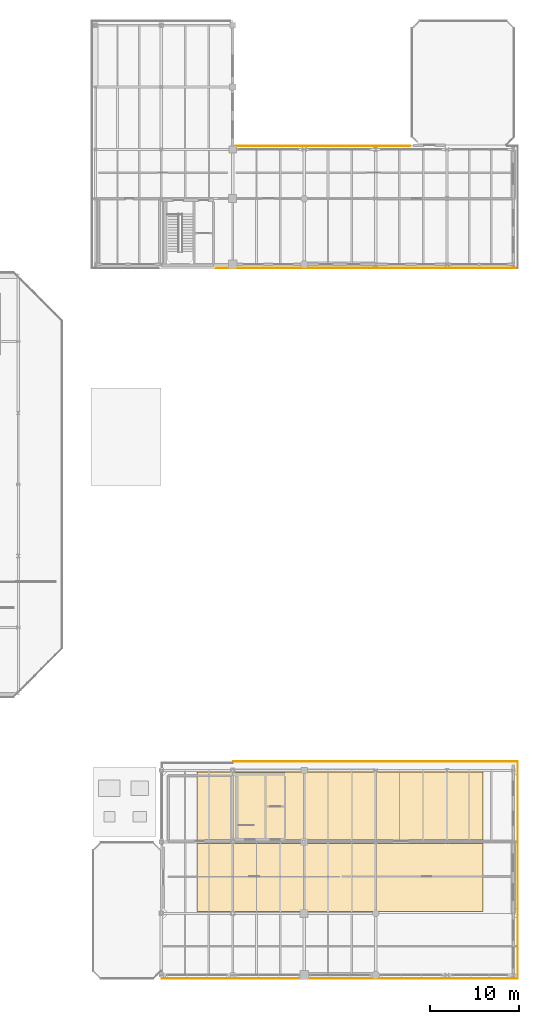
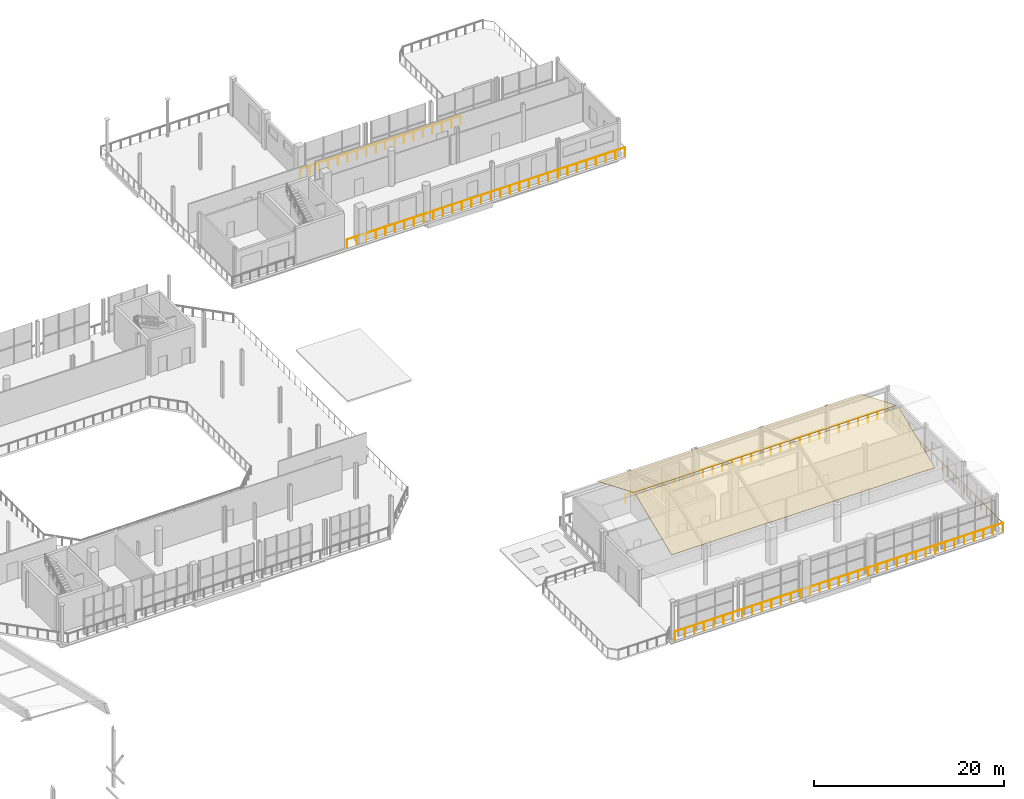
# One storey, part 50 of 51: 5 railings, 2 coverings.
"""IFC4 building model written with IfcOpenShell, lengths in metres."""

import ifcopenshell
import ifcopenshell.guid

model = None  # the IFC model being written
_history = None  # IfcOwnerHistory: only IFC2X3 demands one
_inside = {}  # id of a spatial element -> (the spatial element, [elements in it])
_under = {}  # id of a project, library or spatial element -> (it, [spatial elements below it])
_declared = {}  # id of a project -> (the project, [libraries it declares])
_typed = {}  # id of a type object -> (the type object, [elements of that type])
_made_of = {}  # id of a material, layer set ... -> (it, [elements and type objects made of it])


def new_model(schema):
    """Start an empty IFC model of exactly this schema.

    Asked for "IFC4X3", IfcOpenShell would pick the latest addendum, in which some entities
    have other attributes; the version numbers below select the first issue.
    IFC2X3 requires an IfcOwnerHistory on every rooted entity: one is made here for all.
    """
    global model, _history
    if schema == "IFC4X3":
        model = ifcopenshell.file(schema_version=(4, 3, 0, 0))
    else:
        model = ifcopenshell.file(schema=schema)
    _inside.clear()
    _under.clear()
    _declared.clear()
    _typed.clear()
    _made_of.clear()
    _history = None
    if model.schema == "IFC2X3":
        org = make("IfcOrganization", Name="unknown")
        user = make(
            "IfcPersonAndOrganization",
            ThePerson=make("IfcPerson", FamilyName="unknown"),
            TheOrganization=org,
        )
        app = make(
            "IfcApplication",
            ApplicationDeveloper=org,
            Version="unknown",
            ApplicationFullName="unknown",
            ApplicationIdentifier="unknown",
        )
        _history = make(
            "IfcOwnerHistory",
            OwningUser=user,
            OwningApplication=app,
            ChangeAction="ADDED",
            CreationDate=0,
        )
    return model


def make(cls, **values):
    """One entity of the class cls with the attributes given. An attribute that is None is left unset."""
    return model.create_entity(
        cls, **{name: value for name, value in values.items() if value is not None}
    )


def rooted(cls, **values):
    """An entity with a GlobalId (a new one), such as an element, a storey or a relation."""
    return make(cls, GlobalId=ifcopenshell.guid.new(), OwnerHistory=_history, **values)


def si_unit(unit_type, name, prefix=None):
    """IfcSIUnit, for example si_unit("LENGTHUNIT", "METRE", prefix="MILLI")."""
    return make("IfcSIUnit", UnitType=unit_type, Prefix=prefix, Name=name)


def assignment(units):
    """IfcUnitAssignment: the units of a project."""
    return None if units is None else make("IfcUnitAssignment", Units=units)


def point(xyz):
    """IfcCartesianPoint."""
    return None if xyz is None else make("IfcCartesianPoint", Coordinates=xyz)


def direction(xyz):
    """IfcDirection."""
    return None if xyz is None else make("IfcDirection", DirectionRatios=xyz)


def frame(location, z_axis=None, x_axis=None):
    """IfcAxis2Placement3D, a coordinate frame: its origin and axes. An axis left out is left unset."""
    return make(
        "IfcAxis2Placement3D",
        Location=point(location),
        Axis=direction(z_axis),
        RefDirection=direction(x_axis),
    )


def frame_2d(location, x_axis=None):
    """IfcAxis2Placement2D, a coordinate frame in the plane: its origin and x axis."""
    return make(
        "IfcAxis2Placement2D", Location=point(location), RefDirection=direction(x_axis)
    )


def origin():
    """The frame at (0, 0, 0) with its axes left unset."""
    return frame((0.0, 0.0, 0.0))


def origin_2d():
    """The frame at (0, 0) in the plane with its x axis left unset."""
    return frame_2d((0.0, 0.0))


def place(relative_to, where):
    """IfcLocalPlacement: puts the frame where relative to a parent placement (None: the world)."""
    return make(
        "IfcLocalPlacement", PlacementRelTo=relative_to, RelativePlacement=where
    )


def context(
    kind, dimensions, precision=None, world=None, true_north=None, identifier=None
):
    """IfcGeometricRepresentationContext, for example the 3D "Model" context."""
    return make(
        "IfcGeometricRepresentationContext",
        ContextIdentifier=identifier,
        ContextType=kind,
        CoordinateSpaceDimension=dimensions,
        Precision=precision,
        WorldCoordinateSystem=world,
        TrueNorth=true_north,
    )


def subcontext(parent, identifier, kind, view, scale=None):
    """IfcGeometricRepresentationSubContext, for example "Body" below "Model"."""
    return make(
        "IfcGeometricRepresentationSubContext",
        ContextIdentifier=identifier,
        ContextType=kind,
        ParentContext=parent,
        TargetScale=scale,
        TargetView=view,
    )


def project(units=None, contexts=None):
    """IfcProject with its units and contexts."""
    return rooted(
        "IfcProject",
        Name="project",
        RepresentationContexts=contexts,
        UnitsInContext=assignment(units),
    )


def spatial(cls, under=None, at=None, **own):
    """A site, building, storey or space (cls), placed at a placement, below another one or the project."""
    s = rooted(cls, ObjectPlacement=at, **own)
    if under is not None:
        _under.setdefault(under.id(), (under, []))[1].append(s)
    return s


def polyline(points):
    """IfcPolyline through the points."""
    return make("IfcPolyline", Points=[point(p) for p in points])


def profile(cls, at=None, kind="AREA", **sizes):
    """A parametric profile (cls). Its sizes go by their IFC names, for example OverallWidth=200.0."""
    return make(cls, ProfileType=kind, Position=at, **sizes)


def circle(**sizes):
    """IfcCircleProfileDef."""
    return profile("IfcCircleProfileDef", **sizes)


def outline(outer, holes=None, kind="AREA"):
    """IfcArbitraryClosedProfileDef: a profile drawn as a closed curve; with holes, ...WithVoids."""
    if holes is None:
        return make("IfcArbitraryClosedProfileDef", ProfileType=kind, OuterCurve=outer)
    return make(
        "IfcArbitraryProfileDefWithVoids",
        ProfileType=kind,
        OuterCurve=outer,
        InnerCurves=holes,
    )


def extrude(swept, where, along, depth):
    """IfcExtrudedAreaSolid: the profile swept, set in the frame where, extruded along a direction by depth."""
    return make(
        "IfcExtrudedAreaSolid",
        SweptArea=swept,
        Position=where,
        ExtrudedDirection=direction(along),
        Depth=depth,
    )


def shape(context_of_items, identifier, shape_type, items):
    """IfcShapeRepresentation: the items that make up one representation, for example the "Body"."""
    return make(
        "IfcShapeRepresentation",
        ContextOfItems=context_of_items,
        RepresentationIdentifier=identifier,
        RepresentationType=shape_type,
        Items=items,
    )


def material(Name=None, Category=None):
    """IfcMaterial."""
    return make("IfcMaterial", Name=Name, Category=Category)


def layer(
    of_material, thickness, ventilated=None, Name=None, Category=None, Priority=None
):
    """IfcMaterialLayer: one layer of a wall or slab, of a material (None: an air gap)."""
    return make(
        "IfcMaterialLayer",
        Material=of_material,
        LayerThickness=thickness,
        IsVentilated=ventilated,
        Name=Name,
        Category=Category,
        Priority=Priority,
    )


def layer_set(layers, Name=None):
    """IfcMaterialLayerSet."""
    return make("IfcMaterialLayerSet", MaterialLayers=layers, LayerSetName=Name)


def made_of(thing, what):
    """Note that an element or type object is made of a material, layer set ...; save() writes the relation."""
    if what is not None:
        _made_of.setdefault(what.id(), (what, []))[1].append(thing)
    return thing


def type_object(cls, material=None, **own):
    """A type object (cls), such as IfcWallType, which elements share."""
    return made_of(rooted(cls, **own), material)


def element(
    cls,
    number,
    at=None,
    inside=None,
    cuts=None,
    type_object=None,
    material=None,
    context=None,
    identifier="Body",
    shape_type=None,
    held_by="IfcProductDefinitionShape",
    body=None,
    shapes=None,
    **own,
):
    """One element of the class cls, such as IfcWall. Its Tag is "e" and its number.

    at: its placement. inside: the storey or other place that contains it. cuts: it is an
    opening in that element (IfcRelVoidsElement). A single representation is given by context,
    identifier, shape_type and body (its items); several are given by shapes. held_by: the class
    of the entity that holds the representations. save() writes the other relations.
    """
    e = rooted(cls, Tag="e%d" % number, ObjectPlacement=at, **own)
    if body is not None:
        shapes = [shape(context, identifier, shape_type, body)]
    if shapes is not None:
        e.Representation = make(held_by, Representations=shapes)
    if inside is not None:
        _inside.setdefault(inside.id(), (inside, []))[1].append(e)
    if cuts is not None:
        rooted(
            "IfcRelVoidsElement", RelatingBuildingElement=cuts, RelatedOpeningElement=e
        )
    if type_object is not None:
        _typed.setdefault(type_object.id(), (type_object, []))[1].append(e)
    return made_of(e, material)


def aggregate(whole, parts):
    """IfcRelAggregates: a whole, such as a stair, and the parts it consists of."""
    return rooted("IfcRelAggregates", RelatingObject=whole, RelatedObjects=parts)


def save(model, path):
    """Write the relations noted so far, then the file.

    IfcRelAggregates (storeys below a building ...), IfcRelContainedInSpatialStructure (elements
    in a storey), IfcRelDefinesByType, IfcRelAssociatesMaterial and IfcRelDeclares: one each for
    every whole, place, type object, material and project.
    """
    for whole, parts in _under.values():
        aggregate(whole, parts)
    for where, things in _inside.values():
        rooted(
            "IfcRelContainedInSpatialStructure",
            RelatedElements=things,
            RelatingStructure=where,
        )
    for kind, things in _typed.values():
        rooted("IfcRelDefinesByType", RelatedObjects=things, RelatingType=kind)
    for what, things in _made_of.values():
        rooted("IfcRelAssociatesMaterial", RelatedObjects=things, RelatingMaterial=what)
    for by, libraries in _declared.values():
        rooted("IfcRelDeclares", RelatingContext=by, RelatedDefinitions=libraries)
    model.write(path)


model = new_model("IFC4")

# Units and contexts
model_context = context("Model", 3, precision=1e-05, world=origin(), true_north=direction((0.0, 1.0)))
body_context = subcontext(model_context, "Body", "Model", "MODEL_VIEW")
ifc_project = project(units=[si_unit("LENGTHUNIT", "METRE"), si_unit("AREAUNIT", "SQUARE_METRE"), si_unit("VOLUMEUNIT", "CUBIC_METRE"), si_unit("PLANEANGLEUNIT", "RADIAN"), si_unit("MASSUNIT", "GRAM", prefix="KILO")], contexts=[model_context])

# Site, building, storey
site_placement = place(None, origin())
site = spatial("IfcSite", under=ifc_project, at=site_placement, CompositionType="ELEMENT")
building_placement = place(site_placement, origin())
building = spatial("IfcBuilding", under=site, at=building_placement, Name="Brisemont Oceanarium", CompositionType="ELEMENT")
storey_placement = place(building_placement, frame((0.0, 0.0, 15.0)))
storey = spatial("IfcBuildingStorey", under=building, at=storey_placement, Name="L03", CompositionType="ELEMENT", Elevation=15.0)

# Coverings
ifc_material_1 = material(Name="Patinated Copper-Zinc Standing-Seam Sheet")
ifc_layer = layer(ifc_material_1, 0.034912109375)
ifc_layer_set = layer_set([ifc_layer], Name="Patinated Copper-Zinc Standing-Seam Sheet")
covering_type = type_object("IfcCoveringType", Name="COV-ROOF-CUZN", PredefinedType="ROOFING", material=ifc_layer_set)
for number, where, z_axis, x_axis, name in (
    (1, (124.0, 8.199951171875, 5.0), (0.0, -0.383911815962, 0.923369762102), (1.0, 0.0, 0.0), "Patinated copper-zinc standing-seam roofing RFG-R1"),
    (2, (124.0, 16.199951171875, 8.159912109375), (0.0, 0.383911815962, 0.923369762102), (1.0, 0.0, 0.0), "Patinated copper-zinc standing-seam roofing RFG-R2"),
):
    element("IfcCovering", number, at=place(storey_placement, frame(where, z_axis=z_axis, x_axis=x_axis)), inside=storey, type_object=covering_type, Name=name, PredefinedType="ROOFING", context=body_context, shape_type="SweptSolid", body=[
        extrude(outline(polyline([(0.0, 0.0), (32.0, 0.0), (32.0, 8.230827960995875), (0.0, 8.230827960995875), (0.0, 0.0)])), origin(), (0.0, 0.0, -1.0), 0.034912109375),
    ])

# Railings
ifc_material_2 = material(Name="Duplex Stainless Steel EN 1.4462", Category="steel")
railing_type = type_object("IfcRailingType", Name="RLG-GUARD-1120", PredefinedType="GUARDRAIL", material=ifc_material_2)
railing_1_placement = place(storey_placement, frame((128.090087890625, 25.009521484375, 0.0)))
element("IfcRailing", 3, at=railing_1_placement, inside=storey, type_object=railing_type, Name="L03 slab perimeter safety guard 189", PredefinedType="GUARDRAIL", context=body_context, shape_type="SweptSolid", body=[
    extrude(circle(Radius=0.02392578125, at=origin_2d()), frame((0.0, 0.0, 1.09619140625), z_axis=(0.999999999882, 1.5345426e-05, 0.0), x_axis=(-1.5345426e-05, 0.999999999882, 0.0)), (0.0, 0.0, 1.0), 31.8193359375),
    extrude(circle(Radius=0.02099609375, at=origin_2d()), origin(), (0.0, 0.0, 1.0), 1.072021484375),
    extrude(circle(Radius=0.02099609375, at=origin_2d()), frame((1.178466796875, 0.0, 0.0)), (0.0, 0.0, 1.0), 1.072021484375),
    extrude(circle(Radius=0.02099609375, at=origin_2d()), frame((2.35693359375, 0.0, 0.0)), (0.0, 0.0, 1.0), 1.072021484375),
    extrude(circle(Radius=0.02099609375, at=origin_2d()), frame((3.535400390625, 0.0, 0.0)), (0.0, 0.0, 1.0), 1.072021484375),
    extrude(circle(Radius=0.02099609375, at=origin_2d()), frame((4.7138671875, 0.0, 0.0)), (0.0, 0.0, 1.0), 1.072021484375),
    extrude(circle(Radius=0.02099609375, at=origin_2d()), frame((5.892578125, 0.0, 0.0)), (0.0, 0.0, 1.0), 1.072021484375),
    extrude(circle(Radius=0.02099609375, at=origin_2d()), frame((7.071044921875, 0.0, 0.0)), (0.0, 0.0, 1.0), 1.072021484375),
    extrude(circle(Radius=0.02099609375, at=origin_2d()), frame((8.24951171875, 0.000244140625, 0.0)), (0.0, 0.0, 1.0), 1.072021484375),
    extrude(circle(Radius=0.02099609375, at=origin_2d()), frame((9.427978515625, 0.000244140625, 0.0)), (0.0, 0.0, 1.0), 1.072021484375),
    extrude(circle(Radius=0.02099609375, at=origin_2d()), frame((10.6064453125, 0.000244140625, 0.0)), (0.0, 0.0, 1.0), 1.072021484375),
    extrude(circle(Radius=0.02099609375, at=origin_2d()), frame((11.784912109375, 0.000244140625, 0.0)), (0.0, 0.0, 1.0), 1.072021484375),
    extrude(circle(Radius=0.02099609375, at=origin_2d()), frame((12.96337890625, 0.000244140625, 0.0)), (0.0, 0.0, 1.0), 1.072021484375),
    extrude(circle(Radius=0.02099609375, at=origin_2d()), frame((14.141845703125, 0.000244140625, 0.0)), (0.0, 0.0, 1.0), 1.072021484375),
    extrude(circle(Radius=0.02099609375, at=origin_2d()), frame((15.3203125, 0.000244140625, 0.0)), (0.0, 0.0, 1.0), 1.072021484375),
    extrude(circle(Radius=0.02099609375, at=origin_2d()), frame((16.4990234375, 0.000244140625, 0.0)), (0.0, 0.0, 1.0), 1.072021484375),
    extrude(circle(Radius=0.02099609375, at=origin_2d()), frame((17.677490234375, 0.000244140625, 0.0)), (0.0, 0.0, 1.0), 1.072021484375),
    extrude(circle(Radius=0.02099609375, at=origin_2d()), frame((18.85595703125, 0.000244140625, 0.0)), (0.0, 0.0, 1.0), 1.072021484375),
    extrude(circle(Radius=0.02099609375, at=origin_2d()), frame((20.034423828125, 0.000244140625, 0.0)), (0.0, 0.0, 1.0), 1.072021484375),
    extrude(circle(Radius=0.02099609375, at=origin_2d()), frame((21.212890625, 0.000244140625, 0.0)), (0.0, 0.0, 1.0), 1.072021484375),
    extrude(circle(Radius=0.02099609375, at=origin_2d()), frame((22.391357421875, 0.000244140625, 0.0)), (0.0, 0.0, 1.0), 1.072021484375),
    extrude(circle(Radius=0.02099609375, at=origin_2d()), frame((23.56982421875, 0.000244140625, 0.0)), (0.0, 0.0, 1.0), 1.072021484375),
    extrude(circle(Radius=0.02099609375, at=origin_2d()), frame((24.748291015625, 0.00048828125, 0.0)), (0.0, 0.0, 1.0), 1.072021484375),
    extrude(circle(Radius=0.02099609375, at=origin_2d()), frame((25.9267578125, 0.00048828125, 0.0)), (0.0, 0.0, 1.0), 1.072021484375),
    extrude(circle(Radius=0.02099609375, at=origin_2d()), frame((27.10546875, 0.00048828125, 0.0)), (0.0, 0.0, 1.0), 1.072021484375),
    extrude(circle(Radius=0.02099609375, at=origin_2d()), frame((28.283935546875, 0.00048828125, 0.0)), (0.0, 0.0, 1.0), 1.072021484375),
    extrude(circle(Radius=0.02099609375, at=origin_2d()), frame((29.46240234375, 0.00048828125, 0.0)), (0.0, 0.0, 1.0), 1.072021484375),
    extrude(circle(Radius=0.02099609375, at=origin_2d()), frame((30.640869140625, 0.00048828125, 0.0)), (0.0, 0.0, 1.0), 1.072021484375),
    extrude(circle(Radius=0.02099609375, at=origin_2d()), frame((31.8193359375, 0.00048828125, 0.0)), (0.0, 0.0, 1.0), 1.072021484375),
])
railing_2_placement = place(storey_placement, frame((159.909423828125, 25.010009765625, 0.0)))
element("IfcRailing", 4, at=railing_2_placement, inside=storey, type_object=railing_type, Name="L03 slab perimeter safety guard 190", PredefinedType="GUARDRAIL", context=body_context, shape_type="SweptSolid", body=[
    extrude(circle(Radius=0.02392578125, at=origin_2d()), frame((0.0, 0.0, 1.09619140625), z_axis=(2.0077701e-05, -0.999999999798, 0.0), x_axis=(0.999999999798, 2.0077701e-05, 0.0)), (0.0, 0.0, 1.0), 24.319580078125),
    extrude(circle(Radius=0.02099609375, at=origin_2d()), origin(), (0.0, 0.0, 1.0), 1.072021484375),
    extrude(circle(Radius=0.02099609375, at=origin_2d()), frame((0.0, -1.157958984375, 0.0)), (0.0, 0.0, 1.0), 1.072021484375),
    extrude(circle(Radius=0.02099609375, at=origin_2d()), frame((0.0, -2.316162109375, 0.0)), (0.0, 0.0, 1.0), 1.072021484375),
    extrude(circle(Radius=0.02099609375, at=origin_2d()), frame((0.0, -3.47412109375, 0.0)), (0.0, 0.0, 1.0), 1.072021484375),
    extrude(circle(Radius=0.02099609375, at=origin_2d()), frame((0.0, -4.63232421875, 0.0)), (0.0, 0.0, 1.0), 1.072021484375),
    extrude(circle(Radius=0.02099609375, at=origin_2d()), frame((0.0, -5.790283203125, 0.0)), (0.0, 0.0, 1.0), 1.072021484375),
    extrude(circle(Radius=0.02099609375, at=origin_2d()), frame((0.000244140625, -6.948486328125, 0.0)), (0.0, 0.0, 1.0), 1.072021484375),
    extrude(circle(Radius=0.02099609375, at=origin_2d()), frame((0.000244140625, -8.1064453125, 0.0)), (0.0, 0.0, 1.0), 1.072021484375),
    extrude(circle(Radius=0.02099609375, at=origin_2d()), frame((0.000244140625, -9.2646484375, 0.0)), (0.0, 0.0, 1.0), 1.072021484375),
    extrude(circle(Radius=0.02099609375, at=origin_2d()), frame((0.000244140625, -10.422607421875, 0.0)), (0.0, 0.0, 1.0), 1.072021484375),
    extrude(circle(Radius=0.02099609375, at=origin_2d()), frame((0.000244140625, -11.580810546875, 0.0)), (0.0, 0.0, 1.0), 1.072021484375),
    extrude(circle(Radius=0.02099609375, at=origin_2d()), frame((0.000244140625, -12.73876953125, 0.0)), (0.0, 0.0, 1.0), 1.072021484375),
    extrude(circle(Radius=0.02099609375, at=origin_2d()), frame((0.000244140625, -13.89697265625, 0.0)), (0.0, 0.0, 1.0), 1.072021484375),
    extrude(circle(Radius=0.02099609375, at=origin_2d()), frame((0.000244140625, -15.054931640625, 0.0)), (0.0, 0.0, 1.0), 1.072021484375),
    extrude(circle(Radius=0.02099609375, at=origin_2d()), frame((0.000244140625, -16.213134765625, 0.0)), (0.0, 0.0, 1.0), 1.072021484375),
    extrude(circle(Radius=0.02099609375, at=origin_2d()), frame((0.000244140625, -17.37109375, 0.0)), (0.0, 0.0, 1.0), 1.072021484375),
    extrude(circle(Radius=0.02099609375, at=origin_2d()), frame((0.00048828125, -18.529296875, 0.0)), (0.0, 0.0, 1.0), 1.072021484375),
    extrude(circle(Radius=0.02099609375, at=origin_2d()), frame((0.00048828125, -19.687255859375, 0.0)), (0.0, 0.0, 1.0), 1.072021484375),
    extrude(circle(Radius=0.02099609375, at=origin_2d()), frame((0.00048828125, -20.845458984375, 0.0)), (0.0, 0.0, 1.0), 1.072021484375),
    extrude(circle(Radius=0.02099609375, at=origin_2d()), frame((0.00048828125, -22.00341796875, 0.0)), (0.0, 0.0, 1.0), 1.072021484375),
    extrude(circle(Radius=0.02099609375, at=origin_2d()), frame((0.00048828125, -23.16162109375, 0.0)), (0.0, 0.0, 1.0), 1.072021484375),
    extrude(circle(Radius=0.02099609375, at=origin_2d()), frame((0.00048828125, -24.319580078125, 0.0)), (0.0, 0.0, 1.0), 1.072021484375),
])
railing_3_placement = place(storey_placement, frame((159.909912109375, 0.6904296875, 0.0)))
element("IfcRailing", 5, at=railing_3_placement, inside=storey, type_object=railing_type, Name="L03 slab perimeter safety guard 191", PredefinedType="GUARDRAIL", context=body_context, shape_type="SweptSolid", body=[
    extrude(circle(Radius=0.02392578125, at=origin_2d()), frame((0.0, 0.0, 1.09619140625), z_axis=(-0.999999999925, -1.2262341e-05, 0.0), x_axis=(1.2262341e-05, -0.999999999925, 0.0)), (0.0, 0.0, 1.0), 39.819580078125),
    extrude(circle(Radius=0.02099609375, at=origin_2d()), origin(), (0.0, 0.0, 1.0), 1.072021484375),
    extrude(circle(Radius=0.02099609375, at=origin_2d()), frame((-1.171142578125, 0.0, 0.0)), (0.0, 0.0, 1.0), 1.072021484375),
    extrude(circle(Radius=0.02099609375, at=origin_2d()), frame((-2.34228515625, 0.0, 0.0)), (0.0, 0.0, 1.0), 1.072021484375),
    extrude(circle(Radius=0.02099609375, at=origin_2d()), frame((-3.513427734375, 0.0, 0.0)), (0.0, 0.0, 1.0), 1.072021484375),
    extrude(circle(Radius=0.02099609375, at=origin_2d()), frame((-4.6845703125, 0.0, 0.0)), (0.0, 0.0, 1.0), 1.072021484375),
    extrude(circle(Radius=0.02099609375, at=origin_2d()), frame((-5.855712890625, 0.0, 0.0)), (0.0, 0.0, 1.0), 1.072021484375),
    extrude(circle(Radius=0.02099609375, at=origin_2d()), frame((-7.027099609375, 0.0, 0.0)), (0.0, 0.0, 1.0), 1.072021484375),
    extrude(circle(Radius=0.02099609375, at=origin_2d()), frame((-8.1982421875, 0.0, 0.0)), (0.0, 0.0, 1.0), 1.072021484375),
    extrude(circle(Radius=0.02099609375, at=origin_2d()), frame((-9.369384765625, 0.0, 0.0)), (0.0, 0.0, 1.0), 1.072021484375),
    extrude(circle(Radius=0.02099609375, at=origin_2d()), frame((-10.54052734375, -0.000244140625, 0.0)), (0.0, 0.0, 1.0), 1.072021484375),
    extrude(circle(Radius=0.02099609375, at=origin_2d()), frame((-11.711669921875, -0.000244140625, 0.0)), (0.0, 0.0, 1.0), 1.072021484375),
    extrude(circle(Radius=0.02099609375, at=origin_2d()), frame((-12.8828125, -0.000244140625, 0.0)), (0.0, 0.0, 1.0), 1.072021484375),
    extrude(circle(Radius=0.02099609375, at=origin_2d()), frame((-14.053955078125, -0.000244140625, 0.0)), (0.0, 0.0, 1.0), 1.072021484375),
    extrude(circle(Radius=0.02099609375, at=origin_2d()), frame((-15.22509765625, -0.000244140625, 0.0)), (0.0, 0.0, 1.0), 1.072021484375),
    extrude(circle(Radius=0.02099609375, at=origin_2d()), frame((-16.396240234375, -0.000244140625, 0.0)), (0.0, 0.0, 1.0), 1.072021484375),
    extrude(circle(Radius=0.02099609375, at=origin_2d()), frame((-17.5673828125, -0.000244140625, 0.0)), (0.0, 0.0, 1.0), 1.072021484375),
    extrude(circle(Radius=0.02099609375, at=origin_2d()), frame((-18.738525390625, -0.000244140625, 0.0)), (0.0, 0.0, 1.0), 1.072021484375),
    extrude(circle(Radius=0.02099609375, at=origin_2d()), frame((-19.90966796875, -0.000244140625, 0.0)), (0.0, 0.0, 1.0), 1.072021484375),
    extrude(circle(Radius=0.02099609375, at=origin_2d()), frame((-21.0810546875, -0.000244140625, 0.0)), (0.0, 0.0, 1.0), 1.072021484375),
    extrude(circle(Radius=0.02099609375, at=origin_2d()), frame((-22.252197265625, -0.000244140625, 0.0)), (0.0, 0.0, 1.0), 1.072021484375),
    extrude(circle(Radius=0.02099609375, at=origin_2d()), frame((-23.42333984375, -0.000244140625, 0.0)), (0.0, 0.0, 1.0), 1.072021484375),
    extrude(circle(Radius=0.02099609375, at=origin_2d()), frame((-24.594482421875, -0.000244140625, 0.0)), (0.0, 0.0, 1.0), 1.072021484375),
    extrude(circle(Radius=0.02099609375, at=origin_2d()), frame((-25.765625, -0.000244140625, 0.0)), (0.0, 0.0, 1.0), 1.072021484375),
    extrude(circle(Radius=0.02099609375, at=origin_2d()), frame((-26.936767578125, -0.000244140625, 0.0)), (0.0, 0.0, 1.0), 1.072021484375),
    extrude(circle(Radius=0.02099609375, at=origin_2d()), frame((-28.10791015625, -0.000244140625, 0.0)), (0.0, 0.0, 1.0), 1.072021484375),
    extrude(circle(Radius=0.02099609375, at=origin_2d()), frame((-29.279052734375, -0.000244140625, 0.0)), (0.0, 0.0, 1.0), 1.072021484375),
    extrude(circle(Radius=0.02099609375, at=origin_2d()), frame((-30.4501953125, -0.00048828125, 0.0)), (0.0, 0.0, 1.0), 1.072021484375),
    extrude(circle(Radius=0.02099609375, at=origin_2d()), frame((-31.621337890625, -0.00048828125, 0.0)), (0.0, 0.0, 1.0), 1.072021484375),
    extrude(circle(Radius=0.02099609375, at=origin_2d()), frame((-32.79248046875, -0.00048828125, 0.0)), (0.0, 0.0, 1.0), 1.072021484375),
    extrude(circle(Radius=0.02099609375, at=origin_2d()), frame((-33.9638671875, -0.00048828125, 0.0)), (0.0, 0.0, 1.0), 1.072021484375),
    extrude(circle(Radius=0.02099609375, at=origin_2d()), frame((-35.135009765625, -0.00048828125, 0.0)), (0.0, 0.0, 1.0), 1.072021484375),
    extrude(circle(Radius=0.02099609375, at=origin_2d()), frame((-36.30615234375, -0.00048828125, 0.0)), (0.0, 0.0, 1.0), 1.072021484375),
    extrude(circle(Radius=0.02099609375, at=origin_2d()), frame((-37.477294921875, -0.00048828125, 0.0)), (0.0, 0.0, 1.0), 1.072021484375),
    extrude(circle(Radius=0.02099609375, at=origin_2d()), frame((-38.6484375, -0.00048828125, 0.0)), (0.0, 0.0, 1.0), 1.072021484375),
    extrude(circle(Radius=0.02099609375, at=origin_2d()), frame((-39.819580078125, -0.00048828125, 0.0)), (0.0, 0.0, 1.0), 1.072021484375),
])
railing_4_placement = place(storey_placement, frame((128.360107421875, 93.909912109375, 0.0)))
element("IfcRailing", 6, at=railing_4_placement, inside=storey, type_object=railing_type, Name="L03 slab perimeter safety guard 197", PredefinedType="GUARDRAIL", context=body_context, shape_type="SweptSolid", body=[
    extrude(circle(Radius=0.02392578125, at=origin_2d()), frame((0.0, 0.0, 1.09619140625), z_axis=(1.0, 0.0, 0.0), x_axis=(0.0, 1.0, 0.0)), (0.0, 0.0, 1.0), 19.49169921875),
    extrude(circle(Radius=0.02099609375, at=origin_2d()), origin(), (0.0, 0.0, 1.0), 1.072021484375),
    extrude(circle(Radius=0.02099609375, at=origin_2d()), frame((1.146484375, 0.0, 0.0)), (0.0, 0.0, 1.0), 1.072021484375),
    extrude(circle(Radius=0.02099609375, at=origin_2d()), frame((2.293212890625, 0.0, 0.0)), (0.0, 0.0, 1.0), 1.072021484375),
    extrude(circle(Radius=0.02099609375, at=origin_2d()), frame((3.439697265625, 0.0, 0.0)), (0.0, 0.0, 1.0), 1.072021484375),
    extrude(circle(Radius=0.02099609375, at=origin_2d()), frame((4.586181640625, 0.0, 0.0)), (0.0, 0.0, 1.0), 1.072021484375),
    extrude(circle(Radius=0.02099609375, at=origin_2d()), frame((5.73291015625, 0.0, 0.0)), (0.0, 0.0, 1.0), 1.072021484375),
    extrude(circle(Radius=0.02099609375, at=origin_2d()), frame((6.87939453125, 0.0, 0.0)), (0.0, 0.0, 1.0), 1.072021484375),
    extrude(circle(Radius=0.02099609375, at=origin_2d()), frame((8.02587890625, 0.0, 0.0)), (0.0, 0.0, 1.0), 1.072021484375),
    extrude(circle(Radius=0.02099609375, at=origin_2d()), frame((9.172607421875, 0.0, 0.0)), (0.0, 0.0, 1.0), 1.072021484375),
    extrude(circle(Radius=0.02099609375, at=origin_2d()), frame((10.319091796875, 0.0, 0.0)), (0.0, 0.0, 1.0), 1.072021484375),
    extrude(circle(Radius=0.02099609375, at=origin_2d()), frame((11.4658203125, 0.0, 0.0)), (0.0, 0.0, 1.0), 1.072021484375),
    extrude(circle(Radius=0.02099609375, at=origin_2d()), frame((12.6123046875, 0.0, 0.0)), (0.0, 0.0, 1.0), 1.072021484375),
    extrude(circle(Radius=0.02099609375, at=origin_2d()), frame((13.7587890625, 0.0, 0.0)), (0.0, 0.0, 1.0), 1.072021484375),
    extrude(circle(Radius=0.02099609375, at=origin_2d()), frame((14.905517578125, 0.0, 0.0)), (0.0, 0.0, 1.0), 1.072021484375),
    extrude(circle(Radius=0.02099609375, at=origin_2d()), frame((16.052001953125, 0.0, 0.0)), (0.0, 0.0, 1.0), 1.072021484375),
    extrude(circle(Radius=0.02099609375, at=origin_2d()), frame((17.198486328125, 0.0, 0.0)), (0.0, 0.0, 1.0), 1.072021484375),
    extrude(circle(Radius=0.02099609375, at=origin_2d()), frame((18.34521484375, 0.0, 0.0)), (0.0, 0.0, 1.0), 1.072021484375),
    extrude(circle(Radius=0.02099609375, at=origin_2d()), frame((19.49169921875, 0.0, 0.0)), (0.0, 0.0, 1.0), 1.072021484375),
])
railing_5_placement = place(storey_placement, frame((159.909912109375, 80.240478515625, 0.0)))
element("IfcRailing", 7, at=railing_5_placement, inside=storey, type_object=railing_type, Name="L03 slab perimeter safety guard 207", PredefinedType="GUARDRAIL", context=body_context, shape_type="SweptSolid", body=[
    extrude(circle(Radius=0.02392578125, at=origin_2d()), frame((0.0, 0.0, 1.09619140625), z_axis=(-0.999999999895, -1.4463303e-05, 0.0), x_axis=(1.4463303e-05, -0.999999999895, 0.0)), (0.0, 0.0, 1.0), 33.760009765625),
    extrude(circle(Radius=0.02099609375, at=origin_2d()), origin(), (0.0, 0.0, 1.0), 1.072021484375),
    extrude(circle(Radius=0.02099609375, at=origin_2d()), frame((-1.1640625, 0.0, 0.0)), (0.0, 0.0, 1.0), 1.072021484375),
    extrude(circle(Radius=0.02099609375, at=origin_2d()), frame((-2.328369140625, 0.0, 0.0)), (0.0, 0.0, 1.0), 1.072021484375),
    extrude(circle(Radius=0.02099609375, at=origin_2d()), frame((-3.492431640625, 0.0, 0.0)), (0.0, 0.0, 1.0), 1.072021484375),
    extrude(circle(Radius=0.02099609375, at=origin_2d()), frame((-4.656494140625, 0.0, 0.0)), (0.0, 0.0, 1.0), 1.072021484375),
    extrude(circle(Radius=0.02099609375, at=origin_2d()), frame((-5.82080078125, 0.0, 0.0)), (0.0, 0.0, 1.0), 1.072021484375),
    extrude(circle(Radius=0.02099609375, at=origin_2d()), frame((-6.98486328125, 0.0, 0.0)), (0.0, 0.0, 1.0), 1.072021484375),
    extrude(circle(Radius=0.02099609375, at=origin_2d()), frame((-8.14892578125, 0.0, 0.0)), (0.0, 0.0, 1.0), 1.072021484375),
    extrude(circle(Radius=0.02099609375, at=origin_2d()), frame((-9.31298828125, -0.000244140625, 0.0)), (0.0, 0.0, 1.0), 1.072021484375),
    extrude(circle(Radius=0.02099609375, at=origin_2d()), frame((-10.477294921875, -0.000244140625, 0.0)), (0.0, 0.0, 1.0), 1.072021484375),
    extrude(circle(Radius=0.02099609375, at=origin_2d()), frame((-11.641357421875, -0.000244140625, 0.0)), (0.0, 0.0, 1.0), 1.072021484375),
    extrude(circle(Radius=0.02099609375, at=origin_2d()), frame((-12.805419921875, -0.000244140625, 0.0)), (0.0, 0.0, 1.0), 1.072021484375),
    extrude(circle(Radius=0.02099609375, at=origin_2d()), frame((-13.9697265625, -0.000244140625, 0.0)), (0.0, 0.0, 1.0), 1.072021484375),
    extrude(circle(Radius=0.02099609375, at=origin_2d()), frame((-15.1337890625, -0.000244140625, 0.0)), (0.0, 0.0, 1.0), 1.072021484375),
    extrude(circle(Radius=0.02099609375, at=origin_2d()), frame((-16.2978515625, -0.000244140625, 0.0)), (0.0, 0.0, 1.0), 1.072021484375),
    extrude(circle(Radius=0.02099609375, at=origin_2d()), frame((-17.462158203125, -0.000244140625, 0.0)), (0.0, 0.0, 1.0), 1.072021484375),
    extrude(circle(Radius=0.02099609375, at=origin_2d()), frame((-18.626220703125, -0.000244140625, 0.0)), (0.0, 0.0, 1.0), 1.072021484375),
    extrude(circle(Radius=0.02099609375, at=origin_2d()), frame((-19.790283203125, -0.000244140625, 0.0)), (0.0, 0.0, 1.0), 1.072021484375),
    extrude(circle(Radius=0.02099609375, at=origin_2d()), frame((-20.95458984375, -0.000244140625, 0.0)), (0.0, 0.0, 1.0), 1.072021484375),
    extrude(circle(Radius=0.02099609375, at=origin_2d()), frame((-22.11865234375, -0.000244140625, 0.0)), (0.0, 0.0, 1.0), 1.072021484375),
    extrude(circle(Radius=0.02099609375, at=origin_2d()), frame((-23.28271484375, -0.000244140625, 0.0)), (0.0, 0.0, 1.0), 1.072021484375),
    extrude(circle(Radius=0.02099609375, at=origin_2d()), frame((-24.447021484375, -0.000244140625, 0.0)), (0.0, 0.0, 1.0), 1.072021484375),
    extrude(circle(Radius=0.02099609375, at=origin_2d()), frame((-25.611083984375, -0.00048828125, 0.0)), (0.0, 0.0, 1.0), 1.072021484375),
    extrude(circle(Radius=0.02099609375, at=origin_2d()), frame((-26.775146484375, -0.00048828125, 0.0)), (0.0, 0.0, 1.0), 1.072021484375),
    extrude(circle(Radius=0.02099609375, at=origin_2d()), frame((-27.939208984375, -0.00048828125, 0.0)), (0.0, 0.0, 1.0), 1.072021484375),
    extrude(circle(Radius=0.02099609375, at=origin_2d()), frame((-29.103515625, -0.00048828125, 0.0)), (0.0, 0.0, 1.0), 1.072021484375),
    extrude(circle(Radius=0.02099609375, at=origin_2d()), frame((-30.267578125, -0.00048828125, 0.0)), (0.0, 0.0, 1.0), 1.072021484375),
    extrude(circle(Radius=0.02099609375, at=origin_2d()), frame((-31.431640625, -0.00048828125, 0.0)), (0.0, 0.0, 1.0), 1.072021484375),
    extrude(circle(Radius=0.02099609375, at=origin_2d()), frame((-32.595947265625, -0.00048828125, 0.0)), (0.0, 0.0, 1.0), 1.072021484375),
    extrude(circle(Radius=0.02099609375, at=origin_2d()), frame((-33.760009765625, -0.00048828125, 0.0)), (0.0, 0.0, 1.0), 1.072021484375),
])

save(model, "model.ifc")
